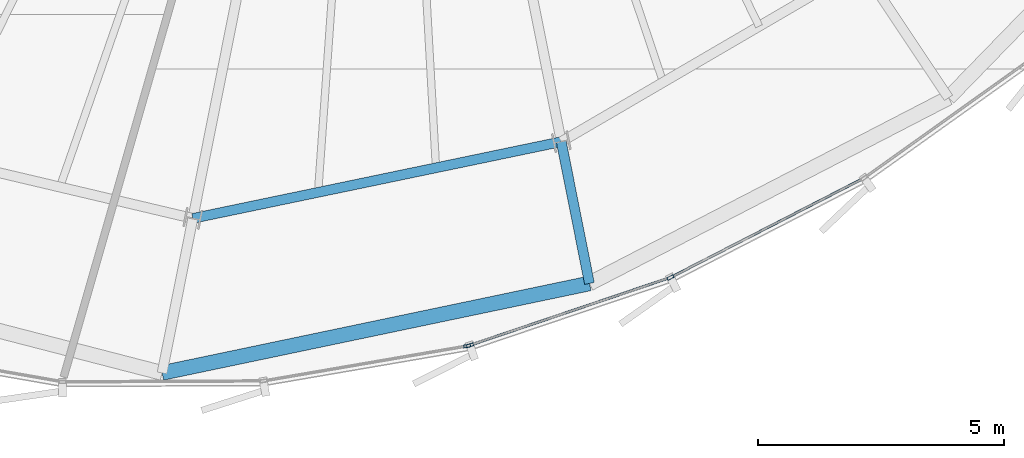
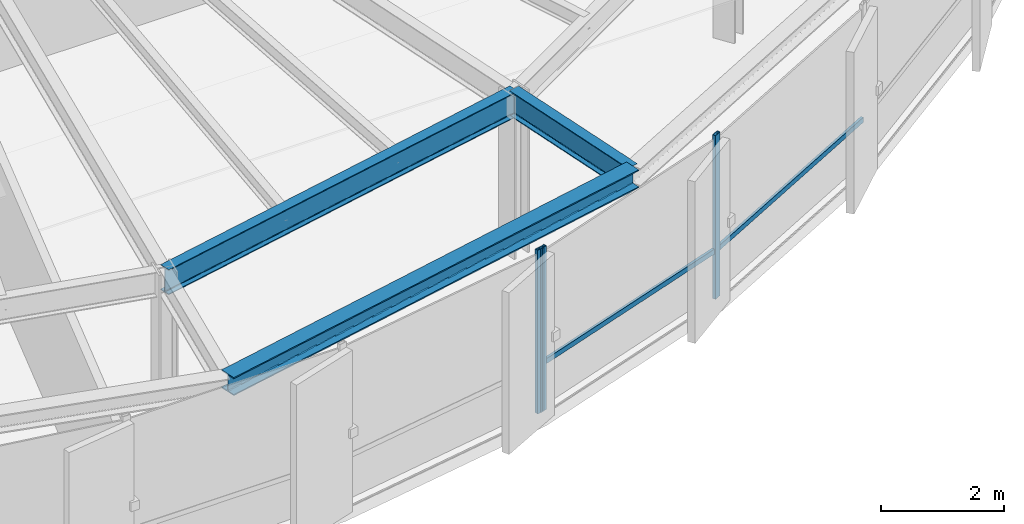
# One storey, part 7 of 35: 5 members, 3 beams, 2 elements without a shape of their own.
"""IFC4 building model written with IfcOpenShell, lengths in metres."""

from ifc_helpers import new_model, si_unit, direction, frame, origin, origin_2d, place, context, subcontext, project, spatial, hollow_rectangle, i_section, extrude, source, transform, mapped, material, layer, layer_set, material_profile, profile_set, type_object, element, aggregate, save


model = new_model("IFC4")

# Units and contexts
model_context = context("Model", 3, precision=1e-05, world=origin(), true_north=direction((0.0, 1.0)))
body_context = subcontext(model_context, "Body", "Model", "MODEL_VIEW")
ifc_project = project(units=[si_unit("LENGTHUNIT", "METRE"), si_unit("AREAUNIT", "SQUARE_METRE"), si_unit("VOLUMEUNIT", "CUBIC_METRE"), si_unit("PLANEANGLEUNIT", "RADIAN"), si_unit("MASSUNIT", "GRAM", prefix="KILO"), si_unit("THERMODYNAMICTEMPERATUREUNIT", "KELVIN")], contexts=[model_context])

# Site, building, storey
site_placement = place(None, origin())
site = spatial("IfcSite", under=ifc_project, at=site_placement, CompositionType="ELEMENT")
building_placement = place(site_placement, origin())
building = spatial("IfcBuilding", under=site, at=building_placement, Name="Kethvar Cultural Tower", CompositionType="ELEMENT")
storey_placement = place(building_placement, frame((0.0, 0.0, 193.89990234375)))
storey = spatial("IfcBuildingStorey", under=building, at=storey_placement, Name="L50", CompositionType="ELEMENT", Elevation=193.89990234375)

# Beams
ifc_material_1 = material(Name="Steel S355J2", Category="steel")
ifc_material_profile_1 = material_profile(ifc_material_1, i_section(OverallWidth=0.199951171875, OverallDepth=0.5, WebThickness=0.01025390625, FlangeThickness=0.01611328125, FilletRadius=0.02099609375, at=origin_2d()), Name="Steel S355J2 — IPE500")
ifc_profile_set_1 = profile_set([ifc_material_profile_1], Name="Steel S355J2 — IPE500")
beam_type_1 = type_object("IfcBeamType", Name="BM-IPE500", PredefinedType="BEAM", material=ifc_profile_set_1)
shared_shape_1 = source(origin(), body_context, "Body", "SweptSolid", [
    extrude(i_section(OverallWidth=0.199951171875, OverallDepth=0.5, WebThickness=0.01025390625, FlangeThickness=0.01611328125, FilletRadius=0.02099609375, at=origin_2d()), origin(), (0.0, 0.0, 1.0), 7.6435546875),
])
beam_1_placement = place(storey_placement, frame((42.903564453125, 8.2109375, 3.008056640625), z_axis=(0.979016278161, 0.203782057834, 0.0), x_axis=(-0.203782057834, 0.979016278161, 0.0)))
element("IfcBeam", 1, at=beam_1_placement, inside=storey, type_object=beam_type_1, Name="L50 Column Ring Tie Beam CR-12", PredefinedType="BEAM", context=body_context, shape_type="MappedRepresentation", body=[
    mapped(shared_shape_1, transform((0.0, 0.0, 0.0), scale=1.0)),
])
shared_shape_2 = source(origin(), body_context, "Body", "SweptSolid", [
    extrude(i_section(OverallWidth=0.199951171875, OverallDepth=0.5, WebThickness=0.01025390625, FlangeThickness=0.01611328125, FilletRadius=0.02099609375, at=origin_2d()), origin(), (0.0, 0.0, 1.0), 2.934814453125),
])
beam_2_placement = place(storey_placement, frame((50.38671875, 9.7685546875, 3.008056640625), z_axis=(0.195076173198, -0.980788094672, 0.0), x_axis=(0.980788094672, 0.195076173198, 0.0)))
element("IfcBeam", 2, at=beam_2_placement, inside=storey, type_object=beam_type_1, Name="L50 Perimeter Cantilever Beam RC-13", PredefinedType="BEAM", context=body_context, shape_type="MappedRepresentation", body=[
    mapped(shared_shape_2, transform((0.0, 0.0, 0.0), scale=1.0)),
])
ifc_material_profile_2 = material_profile(ifc_material_1, i_section(OverallWidth=0.300048828125, OverallDepth=0.360107421875, WebThickness=0.012451171875, FlangeThickness=0.0224609375, FilletRadius=0.027099609375, at=origin_2d()), Name="Steel S355J2 — HEB360")
ifc_profile_set_2 = profile_set([ifc_material_profile_2], Name="Steel S355J2 — HEB360")
beam_type_2 = type_object("IfcBeamType", Name="BM-SP360", PredefinedType="SPANDREL", material=ifc_profile_set_2)
shared_shape_3 = source(origin(), body_context, "Body", "SweptSolid", [
    extrude(i_section(OverallWidth=0.300048828125, OverallDepth=0.360107421875, WebThickness=0.012451171875, FlangeThickness=0.0224609375, FilletRadius=0.027099609375, at=origin_2d()), origin(), (0.0, 0.0, 1.0), 8.8681640625),
])
beam_3_placement = place(storey_placement, frame((42.279296875, 5.072509765625, 3.078125), z_axis=(0.978770336771, 0.204960064053, 0.0), x_axis=(-0.204960064053, 0.978770336771, 0.0)))
element("IfcBeam", 3, at=beam_3_placement, inside=storey, type_object=beam_type_2, Name="L50 Perimeter Spandrel Beam SP-12", PredefinedType="SPANDREL", context=body_context, shape_type="MappedRepresentation", body=[
    mapped(shared_shape_3, transform((0.0, 0.0, 0.0), scale=1.0)),
])

# Curtain wall, member
ifc_material_2 = material(Name="Aluminium 6063-T6", Category="aluminium")
ifc_layer = layer(ifc_material_2, 0.179931640625, Name="Aluminium 6063-T6", Category="aluminium")
ifc_layer_set = layer_set([ifc_layer], Name="Aluminium 6063-T6 (180 mm)")
curtain_wall_type = type_object("IfcCurtainWallType", Name="CW-SYS-04-Z34", PredefinedType="NOTDEFINED", material=ifc_layer_set)
curtain_wall_1_placement = place(storey_placement, origin())
curtain_wall_1 = element("IfcCurtainWall", 4, at=curtain_wall_1_placement, inside=storey, type_object=curtain_wall_type, Name="L50 Curtain Wall Run 04", PredefinedType="NOTDEFINED")
ifc_material_profile_3 = material_profile(ifc_material_2, hollow_rectangle(XDim=0.06005859375, YDim=0.139892578125, WallThickness=0.0048828125, at=origin_2d()), Name="Aluminium 6063-T6 — RHS140x60x5")
ifc_profile_set_3 = profile_set([ifc_material_profile_3], Name="Aluminium 6063-T6 — RHS140x60x5")
member_type_1 = type_object("IfcMemberType", Name="CW-SYS-04-Z34-MUL", PredefinedType="MULLION", material=ifc_profile_set_3)
shared_shape_4 = source(origin(), body_context, "Body", "SweptSolid", [
    extrude(hollow_rectangle(XDim=0.06005859375, YDim=0.139892578125, WallThickness=0.0048828125, at=origin_2d()), origin(), (0.0, 0.0, 1.0), 3.260009765625),
])
member_1_placement = place(storey_placement, frame((48.474609375, 5.6201171875, 0.0), z_axis=(0.0, 0.0, 1.0), x_axis=(-0.169229094198, 0.985576741648, 0.0)))
member_1 = element("IfcMember", 5, at=member_1_placement, type_object=member_type_1, Name="CW-L50-R04 Mullion 7", PredefinedType="MULLION", context=body_context, shape_type="MappedRepresentation", body=[
    mapped(shared_shape_4, transform((0.0, 0.0, 0.0), scale=1.0)),
])
aggregate(curtain_wall_1, [member_1])

# Curtain wall, members
curtain_wall_2_placement = place(storey_placement, origin())
curtain_wall_2 = element("IfcCurtainWall", 6, at=curtain_wall_2_placement, inside=storey, type_object=curtain_wall_type, Name="L50 Curtain Wall Run 05", PredefinedType="NOTDEFINED")
member_2_placement = place(storey_placement, frame((48.533203125, 5.635009765625, 0.0), z_axis=(0.0, 0.0, 1.0), x_axis=(-0.32029886614, 0.947316544957, 0.0)))
member_2 = element("IfcMember", 7, at=member_2_placement, type_object=member_type_1, Name="CW-L50-R05 Mullion 1", PredefinedType="MULLION", context=body_context, shape_type="MappedRepresentation", body=[
    mapped(shared_shape_4, transform((0.0, 0.0, 0.0), scale=1.0)),
])
member_3_placement = place(storey_placement, frame((52.60498046875, 7.01025390625, 0.0), z_axis=(0.0, 0.0, 1.0), x_axis=(-0.457268674319, 0.889328600398, 0.0)))
member_3 = element("IfcMember", 8, at=member_3_placement, type_object=member_type_1, Name="CW-L50-R05 Mullion 2", PredefinedType="MULLION", context=body_context, shape_type="MappedRepresentation", body=[
    mapped(shared_shape_4, transform((0.0, 0.0, 0.0), scale=1.0)),
])
ifc_material_profile_4 = material_profile(ifc_material_2, hollow_rectangle(XDim=0.050048828125, YDim=0.10009765625, WallThickness=0.00390625, at=origin_2d()), Name="Aluminium 6063-T6 — RHS100x50x4")
ifc_profile_set_4 = profile_set([ifc_material_profile_4], Name="Aluminium 6063-T6 — RHS100x50x4")
member_type_2 = type_object("IfcMemberType", Name="CW-SYS-04-Z34-TRN", PredefinedType="USERDEFINED", material=ifc_profile_set_4)
shared_shape_5 = source(origin(), body_context, "Body", "SweptSolid", [
    extrude(hollow_rectangle(XDim=0.050048828125, YDim=0.10009765625, WallThickness=0.00390625, at=origin_2d()), origin(), (0.0, 0.0, 1.0), 4.350341796875),
])
member_4_placement = place(storey_placement, frame((52.643310546875, 7.030029296875, 0.9501953125), z_axis=(0.889330839277, 0.457264319962, 0.0), x_axis=(-0.457264319962, 0.889330839277, 0.0)))
member_4 = element("IfcMember", 9, at=member_4_placement, type_object=member_type_2, Name="CW-L50-R05 Transom 2", ObjectType="TRANSOM", PredefinedType="USERDEFINED", context=body_context, shape_type="MappedRepresentation", body=[
    mapped(shared_shape_5, transform((0.0, 0.0, 0.0), scale=1.0)),
])
shared_shape_6 = source(origin(), body_context, "Body", "SweptSolid", [
    extrude(hollow_rectangle(XDim=0.050048828125, YDim=0.10009765625, WallThickness=0.00390625, at=origin_2d()), origin(), (0.0, 0.0, 1.0), 4.2666015625),
])
member_5_placement = place(storey_placement, frame((48.537353515625, 5.63623046875, 0.9501953125), z_axis=(0.947306825331, 0.320327611489, 0.0), x_axis=(-0.320327611489, 0.947306825331, 0.0)))
member_5 = element("IfcMember", 10, at=member_5_placement, type_object=member_type_2, Name="CW-L50-R05 Transom 1", ObjectType="TRANSOM", PredefinedType="USERDEFINED", context=body_context, shape_type="MappedRepresentation", body=[
    mapped(shared_shape_6, transform((0.0, 0.0, 0.0), scale=1.0)),
])
aggregate(curtain_wall_2, [member_2, member_3, member_5, member_4])

save(model, "model.ifc")
